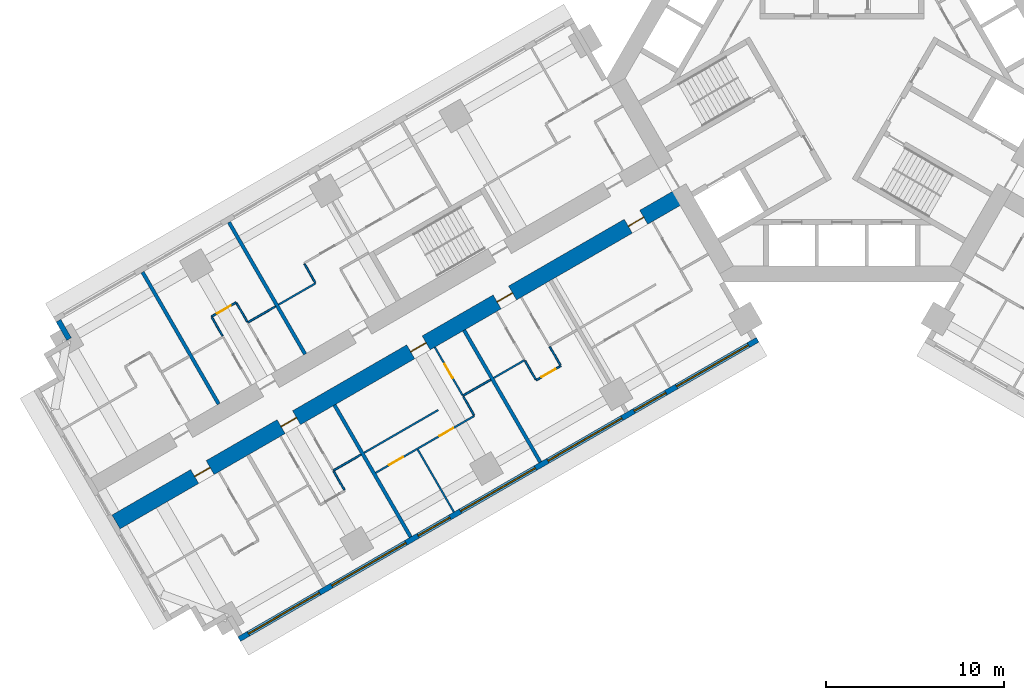
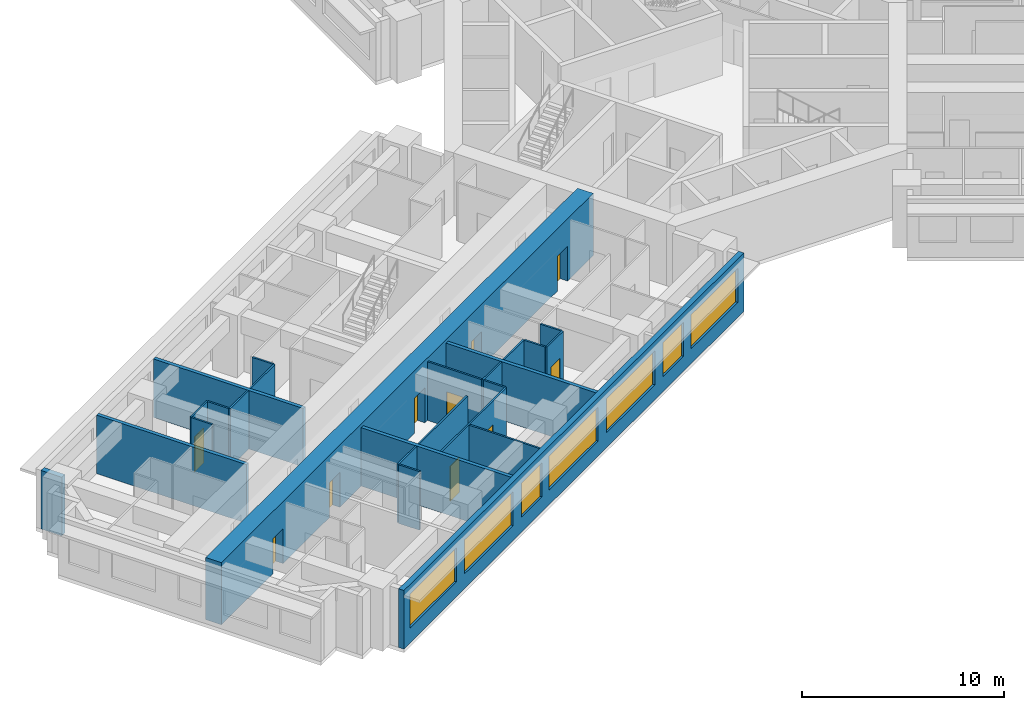
# One storey, part 4 of 16: 25 walls, 10 doors, 7 windows, 17 openings.
"""IFC4 building model written with IfcOpenShell, lengths in metres."""

import ifcopenshell
import ifcopenshell.guid

model = None  # the IFC model being written
_history = None  # IfcOwnerHistory: only IFC2X3 demands one
_inside = {}  # id of a spatial element -> (the spatial element, [elements in it])
_under = {}  # id of a project, library or spatial element -> (it, [spatial elements below it])
_declared = {}  # id of a project -> (the project, [libraries it declares])
_typed = {}  # id of a type object -> (the type object, [elements of that type])
_made_of = {}  # id of a material, layer set ... -> (it, [elements and type objects made of it])


def new_model(schema):
    """Start an empty IFC model of exactly this schema.

    Asked for "IFC4X3", IfcOpenShell would pick the latest addendum, in which some entities
    have other attributes; the version numbers below select the first issue.
    IFC2X3 requires an IfcOwnerHistory on every rooted entity: one is made here for all.
    """
    global model, _history
    if schema == "IFC4X3":
        model = ifcopenshell.file(schema_version=(4, 3, 0, 0))
    else:
        model = ifcopenshell.file(schema=schema)
    _inside.clear()
    _under.clear()
    _declared.clear()
    _typed.clear()
    _made_of.clear()
    _history = None
    if model.schema == "IFC2X3":
        org = make("IfcOrganization", Name="unknown")
        user = make(
            "IfcPersonAndOrganization",
            ThePerson=make("IfcPerson", FamilyName="unknown"),
            TheOrganization=org,
        )
        app = make(
            "IfcApplication",
            ApplicationDeveloper=org,
            Version="unknown",
            ApplicationFullName="unknown",
            ApplicationIdentifier="unknown",
        )
        _history = make(
            "IfcOwnerHistory",
            OwningUser=user,
            OwningApplication=app,
            ChangeAction="ADDED",
            CreationDate=0,
        )
    return model


def make(cls, **values):
    """One entity of the class cls with the attributes given. An attribute that is None is left unset."""
    return model.create_entity(
        cls, **{name: value for name, value in values.items() if value is not None}
    )


def rooted(cls, **values):
    """An entity with a GlobalId (a new one), such as an element, a storey or a relation."""
    return make(cls, GlobalId=ifcopenshell.guid.new(), OwnerHistory=_history, **values)


def si_unit(unit_type, name, prefix=None):
    """IfcSIUnit, for example si_unit("LENGTHUNIT", "METRE", prefix="MILLI")."""
    return make("IfcSIUnit", UnitType=unit_type, Prefix=prefix, Name=name)


def assignment(units):
    """IfcUnitAssignment: the units of a project."""
    return None if units is None else make("IfcUnitAssignment", Units=units)


def point(xyz):
    """IfcCartesianPoint."""
    return None if xyz is None else make("IfcCartesianPoint", Coordinates=xyz)


def direction(xyz):
    """IfcDirection."""
    return None if xyz is None else make("IfcDirection", DirectionRatios=xyz)


def frame(location, z_axis=None, x_axis=None):
    """IfcAxis2Placement3D, a coordinate frame: its origin and axes. An axis left out is left unset."""
    return make(
        "IfcAxis2Placement3D",
        Location=point(location),
        Axis=direction(z_axis),
        RefDirection=direction(x_axis),
    )


def frame_2d(location, x_axis=None):
    """IfcAxis2Placement2D, a coordinate frame in the plane: its origin and x axis."""
    return make(
        "IfcAxis2Placement2D", Location=point(location), RefDirection=direction(x_axis)
    )


def origin():
    """The frame at (0, 0, 0) with its axes left unset."""
    return frame((0.0, 0.0, 0.0))


def place(relative_to, where):
    """IfcLocalPlacement: puts the frame where relative to a parent placement (None: the world)."""
    return make(
        "IfcLocalPlacement", PlacementRelTo=relative_to, RelativePlacement=where
    )


def context(
    kind, dimensions, precision=None, world=None, true_north=None, identifier=None
):
    """IfcGeometricRepresentationContext, for example the 3D "Model" context."""
    return make(
        "IfcGeometricRepresentationContext",
        ContextIdentifier=identifier,
        ContextType=kind,
        CoordinateSpaceDimension=dimensions,
        Precision=precision,
        WorldCoordinateSystem=world,
        TrueNorth=true_north,
    )


def subcontext(parent, identifier, kind, view, scale=None):
    """IfcGeometricRepresentationSubContext, for example "Body" below "Model"."""
    return make(
        "IfcGeometricRepresentationSubContext",
        ContextIdentifier=identifier,
        ContextType=kind,
        ParentContext=parent,
        TargetScale=scale,
        TargetView=view,
    )


def project(units=None, contexts=None):
    """IfcProject with its units and contexts."""
    return rooted(
        "IfcProject",
        Name="project",
        RepresentationContexts=contexts,
        UnitsInContext=assignment(units),
    )


def spatial(cls, under=None, at=None, **own):
    """A site, building, storey or space (cls), placed at a placement, below another one or the project."""
    s = rooted(cls, ObjectPlacement=at, **own)
    if under is not None:
        _under.setdefault(under.id(), (under, []))[1].append(s)
    return s


def profile(cls, at=None, kind="AREA", **sizes):
    """A parametric profile (cls). Its sizes go by their IFC names, for example OverallWidth=200.0."""
    return make(cls, ProfileType=kind, Position=at, **sizes)


def rectangle(**sizes):
    """IfcRectangleProfileDef."""
    return profile("IfcRectangleProfileDef", **sizes)


def extrude(swept, where, along, depth):
    """IfcExtrudedAreaSolid: the profile swept, set in the frame where, extruded along a direction by depth."""
    return make(
        "IfcExtrudedAreaSolid",
        SweptArea=swept,
        Position=where,
        ExtrudedDirection=direction(along),
        Depth=depth,
    )


def shape(context_of_items, identifier, shape_type, items):
    """IfcShapeRepresentation: the items that make up one representation, for example the "Body"."""
    return make(
        "IfcShapeRepresentation",
        ContextOfItems=context_of_items,
        RepresentationIdentifier=identifier,
        RepresentationType=shape_type,
        Items=items,
    )


def material(Name=None, Category=None):
    """IfcMaterial."""
    return make("IfcMaterial", Name=Name, Category=Category)


def layer(
    of_material, thickness, ventilated=None, Name=None, Category=None, Priority=None
):
    """IfcMaterialLayer: one layer of a wall or slab, of a material (None: an air gap)."""
    return make(
        "IfcMaterialLayer",
        Material=of_material,
        LayerThickness=thickness,
        IsVentilated=ventilated,
        Name=Name,
        Category=Category,
        Priority=Priority,
    )


def layer_set(layers, Name=None):
    """IfcMaterialLayerSet."""
    return make("IfcMaterialLayerSet", MaterialLayers=layers, LayerSetName=Name)


def made_of(thing, what):
    """Note that an element or type object is made of a material, layer set ...; save() writes the relation."""
    if what is not None:
        _made_of.setdefault(what.id(), (what, []))[1].append(thing)
    return thing


def type_object(cls, material=None, **own):
    """A type object (cls), such as IfcWallType, which elements share."""
    return made_of(rooted(cls, **own), material)


def element(
    cls,
    number,
    at=None,
    inside=None,
    cuts=None,
    type_object=None,
    material=None,
    context=None,
    identifier="Body",
    shape_type=None,
    held_by="IfcProductDefinitionShape",
    body=None,
    shapes=None,
    **own,
):
    """One element of the class cls, such as IfcWall. Its Tag is "e" and its number.

    at: its placement. inside: the storey or other place that contains it. cuts: it is an
    opening in that element (IfcRelVoidsElement). A single representation is given by context,
    identifier, shape_type and body (its items); several are given by shapes. held_by: the class
    of the entity that holds the representations. save() writes the other relations.
    """
    e = rooted(cls, Tag="e%d" % number, ObjectPlacement=at, **own)
    if body is not None:
        shapes = [shape(context, identifier, shape_type, body)]
    if shapes is not None:
        e.Representation = make(held_by, Representations=shapes)
    if inside is not None:
        _inside.setdefault(inside.id(), (inside, []))[1].append(e)
    if cuts is not None:
        rooted(
            "IfcRelVoidsElement", RelatingBuildingElement=cuts, RelatedOpeningElement=e
        )
    if type_object is not None:
        _typed.setdefault(type_object.id(), (type_object, []))[1].append(e)
    return made_of(e, material)


def fill(opening, filler):
    """IfcRelFillsElement: the door or window that sits in an opening."""
    return rooted(
        "IfcRelFillsElement",
        RelatingOpeningElement=opening,
        RelatedBuildingElement=filler,
    )


def aggregate(whole, parts):
    """IfcRelAggregates: a whole, such as a stair, and the parts it consists of."""
    return rooted("IfcRelAggregates", RelatingObject=whole, RelatedObjects=parts)


def save(model, path):
    """Write the relations noted so far, then the file.

    IfcRelAggregates (storeys below a building ...), IfcRelContainedInSpatialStructure (elements
    in a storey), IfcRelDefinesByType, IfcRelAssociatesMaterial and IfcRelDeclares: one each for
    every whole, place, type object, material and project.
    """
    for whole, parts in _under.values():
        aggregate(whole, parts)
    for where, things in _inside.values():
        rooted(
            "IfcRelContainedInSpatialStructure",
            RelatedElements=things,
            RelatingStructure=where,
        )
    for kind, things in _typed.values():
        rooted("IfcRelDefinesByType", RelatedObjects=things, RelatingType=kind)
    for what, things in _made_of.values():
        rooted("IfcRelAssociatesMaterial", RelatedObjects=things, RelatingMaterial=what)
    for by, libraries in _declared.values():
        rooted("IfcRelDeclares", RelatingContext=by, RelatedDefinitions=libraries)
    model.write(path)


model = new_model("IFC4")

# Units and contexts
model_context = context("Model", 3, precision=1e-05, world=origin(), true_north=direction((0.0, 1.0)))
body_context = subcontext(model_context, "Body", "Model", "MODEL_VIEW")
ifc_project = project(units=[si_unit("LENGTHUNIT", "METRE"), si_unit("AREAUNIT", "SQUARE_METRE"), si_unit("VOLUMEUNIT", "CUBIC_METRE"), si_unit("PLANEANGLEUNIT", "RADIAN"), si_unit("MASSUNIT", "GRAM", prefix="KILO")], contexts=[model_context])

# Site, building, storey
site_placement = place(None, origin())
site = spatial("IfcSite", under=ifc_project, at=site_placement, CompositionType="ELEMENT")
building_placement = place(site_placement, origin())
building = spatial("IfcBuilding", under=site, at=building_placement, Name="Impinga Residences", CompositionType="ELEMENT")
storey_placement = place(building_placement, frame((0.0, 0.0, 56.0)))
storey = spatial("IfcBuildingStorey", under=building, at=storey_placement, Name="L13", CompositionType="ELEMENT", Elevation=56.0)

# Wall, openings, doors
ifc_material_1 = material(Name="Concrete C70/85", Category="concrete")
ifc_layer_1 = layer(ifc_material_1, 0.89990234375)
ifc_layer_set_1 = layer_set([ifc_layer_1], Name="Concrete C70/85")
wall_type_1 = type_object("IfcWallType", Name="BW1 corridor buttress wall, L05 to L22 900", PredefinedType="SHEAR", material=ifc_layer_set_1)
wall_1_placement = place(storey_placement, frame((-8.910400390625, -6.530029296875, 0.0), z_axis=(0.0, 0.0, 1.0), x_axis=(-0.866025284237, -0.500000207062, 0.0)))
wall_1 = element("IfcWall", 1, at=wall_1_placement, inside=storey, type_object=wall_type_1, Name="Corridor wall BW1 WC L13", PredefinedType="SHEAR", context=body_context, shape_type="SweptSolid", body=[
    extrude(rectangle(XDim=36.75, YDim=0.89990234375, at=frame_2d((18.375, 0.0))), origin(), (0.0, 0.0, 1.0), 3.75),
])
opening_1_placement = place(wall_1_placement, frame((2.550048828125, 0.0, 0.0)))
opening_1 = element("IfcOpeningElement", 2, at=opening_1_placement, cuts=wall_1, Name="Opening D1", PredefinedType="OPENING", context=body_context, shape_type="SweptSolid", body=[
    extrude(rectangle(XDim=1.0, YDim=2.10009765625, at=frame_2d((0.5, 1.050048828125))), frame((0.0, 0.4599609375, 0.0), z_axis=(0.0, -1.0, 0.0), x_axis=(1.0, 0.0, 0.0)), (0.0, 0.0, 1.0), 0.919921875),
])
opening_2_placement = place(wall_1_placement, frame((11.050048828125, 0.0, 0.0)))
opening_2 = element("IfcOpeningElement", 3, at=opening_2_placement, cuts=wall_1, Name="Opening D1", PredefinedType="OPENING", context=body_context, shape_type="SweptSolid", body=[
    extrude(rectangle(XDim=1.0, YDim=2.10009765625, at=frame_2d((0.5, 1.050048828125))), frame((0.0, 0.4599609375, 0.0), z_axis=(0.0, -1.0, 0.0), x_axis=(1.0, 0.0, 0.0)), (0.0, 0.0, 1.0), 0.919921875),
])
opening_3_placement = place(wall_1_placement, frame((16.64990234375, 0.0, 0.0)))
opening_3 = element("IfcOpeningElement", 4, at=opening_3_placement, cuts=wall_1, Name="Opening D1", PredefinedType="OPENING", context=body_context, shape_type="SweptSolid", body=[
    extrude(rectangle(XDim=1.0, YDim=2.10009765625, at=frame_2d((0.5, 1.050048828125))), frame((0.0, 0.4599609375, 0.0), z_axis=(0.0, -1.0, 0.0), x_axis=(1.0, 0.0, 0.0)), (0.0, 0.0, 1.0), 0.919921875),
])
opening_4_placement = place(wall_1_placement, frame((25.050048828125, 0.0, 0.0)))
opening_4 = element("IfcOpeningElement", 5, at=opening_4_placement, cuts=wall_1, Name="Opening D1", PredefinedType="OPENING", context=body_context, shape_type="SweptSolid", body=[
    extrude(rectangle(XDim=1.0, YDim=2.10009765625, at=frame_2d((0.5, 1.050048828125))), frame((0.0, 0.4599609375, 0.0), z_axis=(0.0, -1.0, 0.0), x_axis=(1.0, 0.0, 0.0)), (0.0, 0.0, 1.0), 0.919921875),
])
opening_5_placement = place(wall_1_placement, frame((30.64990234375, 0.0, 0.0)))
opening_5 = element("IfcOpeningElement", 6, at=opening_5_placement, cuts=wall_1, Name="Opening D1", PredefinedType="OPENING", context=body_context, shape_type="SweptSolid", body=[
    extrude(rectangle(XDim=1.0, YDim=2.10009765625, at=frame_2d((0.5, 1.050048828125))), frame((0.0, 0.4599609375, 0.0), z_axis=(0.0, -1.0, 0.0), x_axis=(1.0, 0.0, 0.0)), (0.0, 0.0, 1.0), 0.919921875),
])
ifc_material_2 = material(Name="Timber door set", Category="wood")
door_type_1 = type_object("IfcDoorType", Name="D1 apartment entrance door 1000x2100", OperationType="SINGLE_SWING_LEFT", PredefinedType="DOOR", material=ifc_material_2)
door_1_placement = place(opening_1_placement, origin())
door_1 = element("IfcDoor", 7, at=door_1_placement, inside=storey, type_object=door_type_1, Name="Apartment L13-WA1 entrance", OperationType="SINGLE_SWING_LEFT", OverallHeight=2.10009765625, OverallWidth=1.0, PredefinedType="DOOR", context=body_context, shape_type="SweptSolid", body=[
    extrude(rectangle(XDim=1.0, YDim=2.10009765625, at=frame_2d((0.5, 1.050048828125))), frame((0.0, 0.02490234375, 0.0), z_axis=(0.0, -1.0, 0.0), x_axis=(1.0, 0.0, 0.0)), (0.0, 0.0, 1.0), 0.050048828125),
])
fill(opening_1, door_1)
door_2_placement = place(opening_2_placement, origin())
door_2 = element("IfcDoor", 8, at=door_2_placement, inside=storey, type_object=door_type_1, Name="Apartment L13-WA2 entrance", OperationType="SINGLE_SWING_LEFT", OverallHeight=2.10009765625, OverallWidth=1.0, PredefinedType="DOOR", context=body_context, shape_type="SweptSolid", body=[
    extrude(rectangle(XDim=1.0, YDim=2.10009765625, at=frame_2d((0.5, 1.050048828125))), frame((0.0, 0.02490234375, 0.0), z_axis=(0.0, -1.0, 0.0), x_axis=(1.0, 0.0, 0.0)), (0.0, 0.0, 1.0), 0.050048828125),
])
fill(opening_2, door_2)
door_3_placement = place(opening_3_placement, origin())
door_3 = element("IfcDoor", 9, at=door_3_placement, inside=storey, type_object=door_type_1, Name="Apartment L13-WA3 entrance", OperationType="SINGLE_SWING_LEFT", OverallHeight=2.10009765625, OverallWidth=1.0, PredefinedType="DOOR", context=body_context, shape_type="SweptSolid", body=[
    extrude(rectangle(XDim=1.0, YDim=2.10009765625, at=frame_2d((0.5, 1.050048828125))), frame((0.0, 0.02490234375, 0.0), z_axis=(0.0, -1.0, 0.0), x_axis=(1.0, 0.0, 0.0)), (0.0, 0.0, 1.0), 0.050048828125),
])
fill(opening_3, door_3)
door_4_placement = place(opening_4_placement, origin())
door_4 = element("IfcDoor", 10, at=door_4_placement, inside=storey, type_object=door_type_1, Name="Apartment L13-WA4 entrance", OperationType="SINGLE_SWING_RIGHT", OverallHeight=2.10009765625, OverallWidth=1.0, PredefinedType="DOOR", context=body_context, shape_type="SweptSolid", body=[
    extrude(rectangle(XDim=1.0, YDim=2.10009765625, at=frame_2d((0.5, 1.050048828125))), frame((0.0, 0.02490234375, 0.0), z_axis=(0.0, -1.0, 0.0), x_axis=(1.0, 0.0, 0.0)), (0.0, 0.0, 1.0), 0.050048828125),
])
fill(opening_4, door_4)
door_5_placement = place(opening_5_placement, origin())
door_5 = element("IfcDoor", 11, at=door_5_placement, inside=storey, type_object=door_type_1, Name="Apartment L13-WA5 entrance", OperationType="SINGLE_SWING_RIGHT", OverallHeight=2.10009765625, OverallWidth=1.0, PredefinedType="DOOR", context=body_context, shape_type="SweptSolid", body=[
    extrude(rectangle(XDim=1.0, YDim=2.10009765625, at=frame_2d((0.5, 1.050048828125))), frame((0.0, 0.02490234375, 0.0), z_axis=(0.0, -1.0, 0.0), x_axis=(1.0, 0.0, 0.0)), (0.0, 0.0, 1.0), 0.050048828125),
])
fill(opening_5, door_5)

# Wall
ifc_material_3 = material(Name="Terracotta rainscreen on blockwork", Category="masonry")
ifc_layer_2 = layer(ifc_material_3, 0.300048828125)
ifc_layer_set_2 = layer_set([ifc_layer_2], Name="EW1 external wall, terracotta rainscreen on blockwork 300")
wall_type_2 = type_object("IfcWallType", Name="EW1 external wall, terracotta rainscreen on blockwork 300", PredefinedType="SOLIDWALL", material=ifc_layer_set_2)
wall_2_placement = place(storey_placement, frame((-43.37109375, -14.64208984375, 0.0), z_axis=(0.0, 0.0, 1.0), x_axis=(-0.500029051137, 0.866008630453, 0.0)))
element("IfcWall", 12, at=wall_2_placement, inside=storey, type_object=wall_type_2, Name="External wall EW1 L13", PredefinedType="SOLIDWALL", context=body_context, shape_type="SweptSolid", body=[
    extrude(rectangle(XDim=1.19482421875, YDim=0.300048828125, at=frame_2d((0.597412109375, 0.0))), origin(), (0.0, 0.0, 1.0), 3.530029296875),
])

# Wall, openings, windows
wall_3_placement = place(storey_placement, frame((-4.72509765625, -14.67919921875, 0.0), z_axis=(0.0, 0.0, 1.0), x_axis=(-0.866024291668, -0.500001926238, 0.0)))
wall_3 = element("IfcWall", 13, at=wall_3_placement, inside=storey, type_object=wall_type_2, Name="External wall EW1 L13", PredefinedType="SOLIDWALL", context=body_context, shape_type="SweptSolid", body=[
    extrude(rectangle(XDim=33.599853515625, YDim=0.300048828125, at=frame_2d((16.7998046875, 0.0))), origin(), (0.0, 0.0, 1.0), 3.530029296875),
])
opening_6_placement = place(wall_3_placement, frame((0.60009765625, 0.0, 0.89990234375)))
opening_6 = element("IfcOpeningElement", 14, at=opening_6_placement, cuts=wall_3, Name="Opening W10", PredefinedType="OPENING", context=body_context, shape_type="SweptSolid", body=[
    extrude(rectangle(XDim=4.64990234375, YDim=2.050048828125, at=frame_2d((2.324951171875, 1.02490234375))), frame((0.0, 0.159912109375, 0.0), z_axis=(0.0, -1.0, 0.0), x_axis=(1.0, 0.0, 0.0)), (0.0, 0.0, 1.0), 0.320068359375),
])
opening_7_placement = place(wall_3_placement, frame((5.949951171875, 0.0, 0.89990234375)))
opening_7 = element("IfcOpeningElement", 15, at=opening_7_placement, cuts=wall_3, Name="Opening W14", PredefinedType="OPENING", context=body_context, shape_type="SweptSolid", body=[
    extrude(rectangle(XDim=2.050048828125, YDim=2.050048828125, at=frame_2d((1.02490234375, 1.02490234375))), frame((0.0, 0.159912109375, 0.0), z_axis=(0.0, -1.0, 0.0), x_axis=(1.0, 0.0, 0.0)), (0.0, 0.0, 1.0), 0.320068359375),
])
opening_8_placement = place(wall_3_placement, frame((8.800048828125, 0.0, 0.89990234375)))
opening_8 = element("IfcOpeningElement", 16, at=opening_8_placement, cuts=wall_3, Name="Opening W8", PredefinedType="OPENING", context=body_context, shape_type="SweptSolid", body=[
    extrude(rectangle(XDim=4.800048828125, YDim=2.050048828125, at=frame_2d((2.39990234375, 1.02490234375))), frame((0.0, 0.159912109375, 0.0), z_axis=(0.0, -1.0, 0.0), x_axis=(1.0, 0.0, 0.0)), (0.0, 0.0, 1.0), 0.320068359375),
])
opening_9_placement = place(wall_3_placement, frame((14.39990234375, 0.0, 0.89990234375)))
opening_9 = element("IfcOpeningElement", 17, at=opening_9_placement, cuts=wall_3, Name="Opening W6", PredefinedType="OPENING", context=body_context, shape_type="SweptSolid", body=[
    extrude(rectangle(XDim=4.85009765625, YDim=2.050048828125, at=frame_2d((2.425048828125, 1.02490234375))), frame((0.0, 0.159912109375, 0.0), z_axis=(0.0, -1.0, 0.0), x_axis=(1.0, 0.0, 0.0)), (0.0, 0.0, 1.0), 0.320068359375),
])
opening_10_placement = place(wall_3_placement, frame((19.949951171875, 0.0, 0.89990234375)))
opening_10 = element("IfcOpeningElement", 18, at=opening_10_placement, cuts=wall_3, Name="Opening W14", PredefinedType="OPENING", context=body_context, shape_type="SweptSolid", body=[
    extrude(rectangle(XDim=2.050048828125, YDim=2.050048828125, at=frame_2d((1.02490234375, 1.02490234375))), frame((0.0, 0.159912109375, 0.0), z_axis=(0.0, -1.0, 0.0), x_axis=(1.0, 0.0, 0.0)), (0.0, 0.0, 1.0), 0.320068359375),
])
opening_11_placement = place(wall_3_placement, frame((22.800048828125, 0.0, 0.89990234375)))
opening_11 = element("IfcOpeningElement", 19, at=opening_11_placement, cuts=wall_3, Name="Opening W8", PredefinedType="OPENING", context=body_context, shape_type="SweptSolid", body=[
    extrude(rectangle(XDim=4.800048828125, YDim=2.050048828125, at=frame_2d((2.39990234375, 1.02490234375))), frame((0.0, 0.159912109375, 0.0), z_axis=(0.0, -1.0, 0.0), x_axis=(1.0, 0.0, 0.0)), (0.0, 0.0, 1.0), 0.320068359375),
])
opening_12_placement = place(wall_3_placement, frame((28.39990234375, 0.0, 0.89990234375)))
opening_12 = element("IfcOpeningElement", 20, at=opening_12_placement, cuts=wall_3, Name="Opening W3", PredefinedType="OPENING", context=body_context, shape_type="SweptSolid", body=[
    extrude(rectangle(XDim=4.60009765625, YDim=2.050048828125, at=frame_2d((2.300048828125, 1.02490234375))), frame((0.0, 0.159912109375, 0.0), z_axis=(0.0, -1.0, 0.0), x_axis=(1.0, 0.0, 0.0)), (0.0, 0.0, 1.0), 0.320068359375),
])
ifc_material_4 = material(Name="Aluminium window, clear double glazing", Category="aluminium")
window_type_1 = type_object("IfcWindowType", Name="W10 ribbon window 4650x2050", PartitioningType="SINGLE_PANEL", PredefinedType="WINDOW", material=ifc_material_4)
window_1_placement = place(opening_6_placement, origin())
window_1 = element("IfcWindow", 21, at=window_1_placement, inside=storey, type_object=window_type_1, Name="Window L13", OverallHeight=2.050048828125, OverallWidth=4.64990234375, PartitioningType="SINGLE_PANEL", PredefinedType="WINDOW", context=body_context, shape_type="SweptSolid", body=[
    extrude(rectangle(XDim=4.64990234375, YDim=2.050048828125, at=frame_2d((2.324951171875, 1.02490234375))), frame((0.0, 0.030029296875, 0.0), z_axis=(0.0, -1.0, 0.0), x_axis=(1.0, 0.0, 0.0)), (0.0, 0.0, 1.0), 0.06005859375),
])
fill(opening_6, window_1)
window_type_2 = type_object("IfcWindowType", Name="W14 ribbon window 2050x2050", PartitioningType="SINGLE_PANEL", PredefinedType="WINDOW", material=ifc_material_4)
window_2_placement = place(opening_7_placement, origin())
window_2 = element("IfcWindow", 22, at=window_2_placement, inside=storey, type_object=window_type_2, Name="Window L13", OverallHeight=2.050048828125, OverallWidth=2.050048828125, PartitioningType="SINGLE_PANEL", PredefinedType="WINDOW", context=body_context, shape_type="SweptSolid", body=[
    extrude(rectangle(XDim=2.050048828125, YDim=2.050048828125, at=frame_2d((1.02490234375, 1.02490234375))), frame((0.0, 0.030029296875, 0.0), z_axis=(0.0, -1.0, 0.0), x_axis=(1.0, 0.0, 0.0)), (0.0, 0.0, 1.0), 0.06005859375),
])
fill(opening_7, window_2)
window_3_placement = place(opening_10_placement, origin())
window_3 = element("IfcWindow", 23, at=window_3_placement, inside=storey, type_object=window_type_2, Name="Window L13", OverallHeight=2.050048828125, OverallWidth=2.050048828125, PartitioningType="SINGLE_PANEL", PredefinedType="WINDOW", context=body_context, shape_type="SweptSolid", body=[
    extrude(rectangle(XDim=2.050048828125, YDim=2.050048828125, at=frame_2d((1.02490234375, 1.02490234375))), frame((0.0, 0.030029296875, 0.0), z_axis=(0.0, -1.0, 0.0), x_axis=(1.0, 0.0, 0.0)), (0.0, 0.0, 1.0), 0.06005859375),
])
fill(opening_10, window_3)
window_type_3 = type_object("IfcWindowType", Name="W3 ribbon window 4600x2050", PartitioningType="SINGLE_PANEL", PredefinedType="WINDOW", material=ifc_material_4)
window_4_placement = place(opening_12_placement, origin())
window_4 = element("IfcWindow", 24, at=window_4_placement, inside=storey, type_object=window_type_3, Name="Window L13", OverallHeight=2.050048828125, OverallWidth=4.60009765625, PartitioningType="SINGLE_PANEL", PredefinedType="WINDOW", context=body_context, shape_type="SweptSolid", body=[
    extrude(rectangle(XDim=4.60009765625, YDim=2.050048828125, at=frame_2d((2.300048828125, 1.02490234375))), frame((0.0, 0.030029296875, 0.0), z_axis=(0.0, -1.0, 0.0), x_axis=(1.0, 0.0, 0.0)), (0.0, 0.0, 1.0), 0.06005859375),
])
fill(opening_12, window_4)
window_type_4 = type_object("IfcWindowType", Name="W6 ribbon window 4850x2050", PartitioningType="SINGLE_PANEL", PredefinedType="WINDOW", material=ifc_material_4)
window_5_placement = place(opening_9_placement, origin())
window_5 = element("IfcWindow", 25, at=window_5_placement, inside=storey, type_object=window_type_4, Name="Window L13", OverallHeight=2.050048828125, OverallWidth=4.85009765625, PartitioningType="SINGLE_PANEL", PredefinedType="WINDOW", context=body_context, shape_type="SweptSolid", body=[
    extrude(rectangle(XDim=4.85009765625, YDim=2.050048828125, at=frame_2d((2.425048828125, 1.02490234375))), frame((0.0, 0.030029296875, 0.0), z_axis=(0.0, -1.0, 0.0), x_axis=(1.0, 0.0, 0.0)), (0.0, 0.0, 1.0), 0.06005859375),
])
fill(opening_9, window_5)
window_type_5 = type_object("IfcWindowType", Name="W8 ribbon window 4800x2050", PartitioningType="SINGLE_PANEL", PredefinedType="WINDOW", material=ifc_material_4)
window_6_placement = place(opening_8_placement, origin())
window_6 = element("IfcWindow", 26, at=window_6_placement, inside=storey, type_object=window_type_5, Name="Window L13", OverallHeight=2.050048828125, OverallWidth=4.800048828125, PartitioningType="SINGLE_PANEL", PredefinedType="WINDOW", context=body_context, shape_type="SweptSolid", body=[
    extrude(rectangle(XDim=4.800048828125, YDim=2.050048828125, at=frame_2d((2.39990234375, 1.02490234375))), frame((0.0, 0.030029296875, 0.0), z_axis=(0.0, -1.0, 0.0), x_axis=(1.0, 0.0, 0.0)), (0.0, 0.0, 1.0), 0.06005859375),
])
fill(opening_8, window_6)
window_7_placement = place(opening_11_placement, origin())
window_7 = element("IfcWindow", 27, at=window_7_placement, inside=storey, type_object=window_type_5, Name="Window L13", OverallHeight=2.050048828125, OverallWidth=4.800048828125, PartitioningType="SINGLE_PANEL", PredefinedType="WINDOW", context=body_context, shape_type="SweptSolid", body=[
    extrude(rectangle(XDim=4.800048828125, YDim=2.050048828125, at=frame_2d((2.39990234375, 1.02490234375))), frame((0.0, 0.030029296875, 0.0), z_axis=(0.0, -1.0, 0.0), x_axis=(1.0, 0.0, 0.0)), (0.0, 0.0, 1.0), 0.06005859375),
])
fill(opening_11, window_7)

# Wall
ifc_material_5 = material(Name="Gypsum board on steel studs", Category="steel")
ifc_layer_3 = layer(ifc_material_5, 0.10009765625)
ifc_layer_set_3 = layer_set([ifc_layer_3], Name="Gypsum board on steel studs")
wall_type_3 = type_object("IfcWallType", Name="IP1 partition 100", PredefinedType="PARTITIONING", material=ifc_layer_set_3)
wall_4_placement = place(storey_placement, frame((-17.8056640625, -15.82275390625, 0.0), z_axis=(0.0, 0.0, 1.0), x_axis=(-0.866041268327, -0.499972520799, 0.0)))
element("IfcWall", 28, at=wall_4_placement, inside=storey, type_object=wall_type_3, Name="Partition L13-WA2:DIV1", PredefinedType="PARTITIONING", context=body_context, shape_type="SweptSolid", body=[
    extrude(rectangle(XDim=2.0, YDim=0.10009765625, at=frame_2d((1.0, 0.0))), origin(), (0.0, 0.0, 1.0), 3.530029296875),
])

# Wall, opening, door
wall_5_placement = place(storey_placement, frame((-15.77001953125, -16.1484375, 0.0), z_axis=(0.0, 0.0, 1.0), x_axis=(-0.866028054938, -0.499995408039, 0.0)))
wall_5 = element("IfcWall", 29, at=wall_5_placement, inside=storey, type_object=wall_type_3, Name="Partition L13-WA2:STRIP", PredefinedType="PARTITIONING", context=body_context, shape_type="SweptSolid", body=[
    extrude(rectangle(XDim=1.60009765625, YDim=0.10009765625, at=frame_2d((0.800048828125, 0.0))), origin(), (0.0, 0.0, 1.0), 3.530029296875),
])
opening_13_placement = place(wall_5_placement, frame((0.35009765625, 0.0, 0.0)))
opening_13 = element("IfcOpeningElement", 30, at=opening_13_placement, cuts=wall_5, Name="Opening D2", PredefinedType="OPENING", context=body_context, shape_type="SweptSolid", body=[
    extrude(rectangle(XDim=0.89990234375, YDim=2.10009765625, at=frame_2d((0.449951171875, 1.050048828125))), frame((0.0, 0.06005859375, 0.0), z_axis=(0.0, -1.0, 0.0), x_axis=(1.0, 0.0, 0.0)), (0.0, 0.0, 1.0), 0.1201171875),
])
door_type_2 = type_object("IfcDoorType", Name="D2 internal door 900x2100", OperationType="SINGLE_SWING_LEFT", PredefinedType="DOOR", material=ifc_material_2)
door_6_placement = place(opening_13_placement, origin())
door_6 = element("IfcDoor", 31, at=door_6_placement, inside=storey, type_object=door_type_2, Name="Apartment L13-WA2 room door", OperationType="SINGLE_SWING_LEFT", OverallHeight=2.10009765625, OverallWidth=0.89990234375, PredefinedType="DOOR", context=body_context, shape_type="SweptSolid", body=[
    extrude(rectangle(XDim=0.89990234375, YDim=2.10009765625, at=frame_2d((0.449951171875, 1.050048828125))), frame((0.0, 0.02490234375, 0.0), z_axis=(0.0, -1.0, 0.0), x_axis=(1.0, 0.0, 0.0)), (0.0, 0.0, 1.0), 0.050048828125),
])
fill(opening_13, door_6)

# Walls
wall_6_placement = place(storey_placement, frame((-16.39501953125, -15.06591796875, 0.0), z_axis=(0.0, 0.0, 1.0), x_axis=(0.499880961361, -0.866094119867, 0.0)))
element("IfcWall", 32, at=wall_6_placement, inside=storey, type_object=wall_type_3, Name="Partition L13-WA2:SE0", PredefinedType="PARTITIONING", context=body_context, shape_type="SweptSolid", body=[
    extrude(rectangle(XDim=1.199951171875, YDim=0.10009765625, at=frame_2d((0.60009765625, 0.0))), origin(), (0.0, 0.0, 1.0), 3.530029296875),
])
wall_7_placement = place(storey_placement, frame((-17.78076171875, -15.865966796875, 0.0), z_axis=(0.0, 0.0, 1.0), x_axis=(0.500033551112, -0.866006032174, 0.0)))
element("IfcWall", 33, at=wall_7_placement, inside=storey, type_object=wall_type_3, Name="Partition L13-WA2:SE1", PredefinedType="PARTITIONING", context=body_context, shape_type="SweptSolid", body=[
    extrude(rectangle(XDim=1.2001953125, YDim=0.10009765625, at=frame_2d((0.60009765625, 0.0))), origin(), (0.0, 0.0, 1.0), 3.530029296875),
])
wall_8_placement = place(storey_placement, frame((-19.7109375, -16.922607421875, 0.0), z_axis=(0.0, 0.0, 1.0), x_axis=(-0.865989075817, -0.500062916607, 0.0)))
element("IfcWall", 34, at=wall_8_placement, inside=storey, type_object=wall_type_3, Name="Partition L13-WA3:DIV0", PredefinedType="PARTITIONING", context=body_context, shape_type="SweptSolid", body=[
    extrude(rectangle(XDim=1.800048828125, YDim=0.10009765625, at=frame_2d((0.89990234375, 0.0))), origin(), (0.0, 0.0, 1.0), 3.530029296875),
])
wall_9_placement = place(storey_placement, frame((-22.655517578125, -18.622802734375, 0.0), z_axis=(0.0, 0.0, 1.0), x_axis=(-0.866024647952, -0.500001309137, 0.0)))
element("IfcWall", 35, at=wall_9_placement, inside=storey, type_object=wall_type_3, Name="Partition L13-WA3:DIV1", PredefinedType="PARTITIONING", context=body_context, shape_type="SweptSolid", body=[
    extrude(rectangle(XDim=4.7998046875, YDim=0.10009765625, at=frame_2d((2.39990234375, 0.0))), origin(), (0.0, 0.0, 1.0), 3.530029296875),
])

# Wall, openings, doors
wall_10_placement = place(storey_placement, frame((-20.619873046875, -18.948486328125, 0.0), z_axis=(0.0, 0.0, 1.0), x_axis=(-0.866025499775, -0.499999833739, 0.0)))
wall_10 = element("IfcWall", 36, at=wall_10_placement, inside=storey, type_object=wall_type_3, Name="Partition L13-WA3:STRIP", PredefinedType="PARTITIONING", context=body_context, shape_type="SweptSolid", body=[
    extrude(rectangle(XDim=6.39990234375, YDim=0.10009765625, at=frame_2d((3.199951171875, 0.0))), origin(), (0.0, 0.0, 1.0), 3.530029296875),
])
opening_14_placement = place(wall_10_placement, frame((1.375, 0.0, 0.0)))
opening_14 = element("IfcOpeningElement", 37, at=opening_14_placement, cuts=wall_10, Name="Opening D2", PredefinedType="OPENING", context=body_context, shape_type="SweptSolid", body=[
    extrude(rectangle(XDim=0.89990234375, YDim=2.10009765625, at=frame_2d((0.449951171875, 1.050048828125))), frame((0.0, 0.06005859375, 0.0), z_axis=(0.0, -1.0, 0.0), x_axis=(1.0, 0.0, 0.0)), (0.0, 0.0, 1.0), 0.1201171875),
])
opening_15_placement = place(wall_10_placement, frame((4.625, 0.0, 0.0)))
opening_15 = element("IfcOpeningElement", 38, at=opening_15_placement, cuts=wall_10, Name="Opening D2", PredefinedType="OPENING", context=body_context, shape_type="SweptSolid", body=[
    extrude(rectangle(XDim=0.89990234375, YDim=2.10009765625, at=frame_2d((0.449951171875, 1.050048828125))), frame((0.0, 0.06005859375, 0.0), z_axis=(0.0, -1.0, 0.0), x_axis=(1.0, 0.0, 0.0)), (0.0, 0.0, 1.0), 0.1201171875),
])
door_7_placement = place(opening_14_placement, origin())
door_7 = element("IfcDoor", 39, at=door_7_placement, inside=storey, type_object=door_type_2, Name="Apartment L13-WA3 room door", OperationType="SINGLE_SWING_LEFT", OverallHeight=2.10009765625, OverallWidth=0.89990234375, PredefinedType="DOOR", context=body_context, shape_type="SweptSolid", body=[
    extrude(rectangle(XDim=0.89990234375, YDim=2.10009765625, at=frame_2d((0.449951171875, 1.050048828125))), frame((0.0, 0.02490234375, 0.0), z_axis=(0.0, -1.0, 0.0), x_axis=(1.0, 0.0, 0.0)), (0.0, 0.0, 1.0), 0.050048828125),
])
fill(opening_14, door_7)
door_8_placement = place(opening_15_placement, origin())
door_8 = element("IfcDoor", 40, at=door_8_placement, inside=storey, type_object=door_type_2, Name="Apartment L13-WA3 room door", OperationType="SINGLE_SWING_RIGHT", OverallHeight=2.10009765625, OverallWidth=0.89990234375, PredefinedType="DOOR", context=body_context, shape_type="SweptSolid", body=[
    extrude(rectangle(XDim=0.89990234375, YDim=2.10009765625, at=frame_2d((0.449951171875, 1.050048828125))), frame((0.0, 0.02490234375, 0.0), z_axis=(0.0, -1.0, 0.0), x_axis=(1.0, 0.0, 0.0)), (0.0, 0.0, 1.0), 0.050048828125),
])
fill(opening_15, door_8)

# Wall
wall_11_placement = place(storey_placement, frame((-21.244873046875, -17.865966796875, 0.0), z_axis=(0.0, 0.0, 1.0), x_axis=(0.500033551112, -0.866006032174, 0.0)))
element("IfcWall", 41, at=wall_11_placement, inside=storey, type_object=wall_type_3, Name="Partition L13-WA3:SE0", PredefinedType="PARTITIONING", context=body_context, shape_type="SweptSolid", body=[
    extrude(rectangle(XDim=1.2001953125, YDim=0.10009765625, at=frame_2d((0.60009765625, 0.0))), origin(), (0.0, 0.0, 1.0), 3.530029296875),
])

# Wall, opening, door
wall_12_placement = place(storey_placement, frame((-22.8447265625, -15.0947265625, 0.0), z_axis=(0.0, 0.0, 1.0), x_axis=(0.499967891604, -0.866043940782, 0.0)))
wall_12 = element("IfcWall", 42, at=wall_12_placement, inside=storey, type_object=wall_type_3, Name="Partition L13-WA3:IB1", PredefinedType="PARTITIONING", context=body_context, shape_type="SweptSolid", body=[
    extrude(rectangle(XDim=3.099853515625, YDim=0.10009765625, at=frame_2d((1.5498046875, 0.0))), origin(), (0.0, 0.0, 1.0), 3.530029296875),
])
opening_16_placement = place(wall_12_placement, frame((1.10009765625, 0.0, 0.0)))
opening_16 = element("IfcOpeningElement", 43, at=opening_16_placement, cuts=wall_12, Name="Opening D2", PredefinedType="OPENING", context=body_context, shape_type="SweptSolid", body=[
    extrude(rectangle(XDim=0.89990234375, YDim=2.10009765625, at=frame_2d((0.449951171875, 1.050048828125))), frame((0.0, 0.06005859375, 0.0), z_axis=(0.0, -1.0, 0.0), x_axis=(1.0, 0.0, 0.0)), (0.0, 0.0, 1.0), 0.1201171875),
])
door_9_placement = place(opening_16_placement, origin())
door_9 = element("IfcDoor", 44, at=door_9_placement, inside=storey, type_object=door_type_2, Name="Apartment L13-WA3 bathroom door", OperationType="SINGLE_SWING_LEFT", OverallHeight=2.10009765625, OverallWidth=0.89990234375, PredefinedType="DOOR", context=body_context, shape_type="SweptSolid", body=[
    extrude(rectangle(XDim=0.89990234375, YDim=2.10009765625, at=frame_2d((0.449951171875, 1.050048828125))), frame((0.0, 0.02490234375, 0.0), z_axis=(0.0, -1.0, 0.0), x_axis=(1.0, 0.0, 0.0)), (0.0, 0.0, 1.0), 0.050048828125),
])
fill(opening_16, door_9)

# Walls
wall_13_placement = place(storey_placement, frame((-23.799072265625, -20.841796875, 0.0), z_axis=(0.0, 0.0, 1.0), x_axis=(0.499990325971, -0.866030989016, 0.0)))
element("IfcWall", 45, at=wall_13_placement, inside=storey, type_object=wall_type_3, Name="Partition L13-WA3:OB1", PredefinedType="PARTITIONING", context=body_context, shape_type="SweptSolid", body=[
    extrude(rectangle(XDim=4.0498046875, YDim=0.10009765625, at=frame_2d((2.02490234375, 0.0))), origin(), (0.0, 0.0, 1.0), 3.530029296875),
])
wall_14_placement = place(storey_placement, frame((-26.985595703125, -21.122802734375, 0.0), z_axis=(0.0, 0.0, 1.0), x_axis=(-0.866047807691, -0.499961193289, 0.0)))
element("IfcWall", 46, at=wall_14_placement, inside=storey, type_object=wall_type_3, Name="Partition L13-WA4:DIV0", PredefinedType="PARTITIONING", context=body_context, shape_type="SweptSolid", body=[
    extrude(rectangle(XDim=1.800048828125, YDim=0.10009765625, at=frame_2d((0.89990234375, 0.0))), origin(), (0.0, 0.0, 1.0), 3.530029296875),
])
wall_15_placement = place(storey_placement, frame((-28.51953125, -22.06591796875, 0.0), z_axis=(0.0, 0.0, 1.0), x_axis=(0.500033551112, -0.866006032174, 0.0)))
element("IfcWall", 47, at=wall_15_placement, inside=storey, type_object=wall_type_3, Name="Partition L13-WA4:SE0", PredefinedType="PARTITIONING", context=body_context, shape_type="SweptSolid", body=[
    extrude(rectangle(XDim=1.2001953125, YDim=0.10009765625, at=frame_2d((0.60009765625, 0.0))), origin(), (0.0, 0.0, 1.0), 3.530029296875),
])
wall_16_placement = place(storey_placement, frame((-29.533935546875, -11.5087890625, 0.0), z_axis=(0.0, 0.0, 1.0), x_axis=(-0.866024647952, -0.500001309137, 0.0)))
element("IfcWall", 48, at=wall_16_placement, inside=storey, type_object=wall_type_3, Name="Partition L13-WF2:DIV1", PredefinedType="PARTITIONING", context=body_context, shape_type="SweptSolid", body=[
    extrude(rectangle(XDim=2.39990234375, YDim=0.10009765625, at=frame_2d((1.199951171875, 0.0))), origin(), (0.0, 0.0, 1.0), 3.530029296875),
])
wall_17_placement = place(storey_placement, frame((-29.558837890625, -11.465576171875, 0.0), z_axis=(0.0, 0.0, 1.0), x_axis=(-0.500033551112, 0.866006032174, 0.0)))
element("IfcWall", 49, at=wall_17_placement, inside=storey, type_object=wall_type_3, Name="Partition L13-WF2:SE1", PredefinedType="PARTITIONING", context=body_context, shape_type="SweptSolid", body=[
    extrude(rectangle(XDim=1.2001953125, YDim=0.10009765625, at=frame_2d((0.60009765625, 0.0))), origin(), (0.0, 0.0, 1.0), 3.530029296875),
])
wall_18_placement = place(storey_placement, frame((-31.78564453125, -12.808837890625, 0.0), z_axis=(0.0, 0.0, 1.0), x_axis=(-0.866047807691, -0.499961193289, 0.0)))
element("IfcWall", 50, at=wall_18_placement, inside=storey, type_object=wall_type_3, Name="Partition L13-WF3:DIV0", PredefinedType="PARTITIONING", context=body_context, shape_type="SweptSolid", body=[
    extrude(rectangle(XDim=1.800048828125, YDim=0.10009765625, at=frame_2d((0.89990234375, 0.0))), origin(), (0.0, 0.0, 1.0), 3.530029296875),
])

# Wall, opening, door
wall_19_placement = place(storey_placement, frame((-33.994384765625, -12.5830078125, 0.0), z_axis=(0.0, 0.0, 1.0), x_axis=(-0.866028054938, -0.499995408039, 0.0)))
wall_19 = element("IfcWall", 51, at=wall_19_placement, inside=storey, type_object=wall_type_3, Name="Partition L13-WF3:STRIP", PredefinedType="PARTITIONING", context=body_context, shape_type="SweptSolid", body=[
    extrude(rectangle(XDim=1.60009765625, YDim=0.10009765625, at=frame_2d((0.800048828125, 0.0))), origin(), (0.0, 0.0, 1.0), 3.530029296875),
])
opening_17_placement = place(wall_19_placement, frame((0.35009765625, 0.0, 0.0)))
opening_17 = element("IfcOpeningElement", 52, at=opening_17_placement, cuts=wall_19, Name="Opening D2", PredefinedType="OPENING", context=body_context, shape_type="SweptSolid", body=[
    extrude(rectangle(XDim=0.89990234375, YDim=2.10009765625, at=frame_2d((0.449951171875, 1.050048828125))), frame((0.0, 0.06005859375, 0.0), z_axis=(0.0, -1.0, 0.0), x_axis=(1.0, 0.0, 0.0)), (0.0, 0.0, 1.0), 0.1201171875),
])
door_10_placement = place(opening_17_placement, origin())
door_10 = element("IfcDoor", 53, at=door_10_placement, inside=storey, type_object=door_type_2, Name="Apartment L13-WF3 room door", OperationType="SINGLE_SWING_LEFT", OverallHeight=2.10009765625, OverallWidth=0.89990234375, PredefinedType="DOOR", context=body_context, shape_type="SweptSolid", body=[
    extrude(rectangle(XDim=0.89990234375, YDim=2.10009765625, at=frame_2d((0.449951171875, 1.050048828125))), frame((0.0, 0.02490234375, 0.0), z_axis=(0.0, -1.0, 0.0), x_axis=(1.0, 0.0, 0.0)), (0.0, 0.0, 1.0), 0.050048828125),
])
fill(opening_17, door_10)

# Walls
wall_20_placement = place(storey_placement, frame((-33.369384765625, -13.66552734375, 0.0), z_axis=(0.0, 0.0, 1.0), x_axis=(-0.500033551112, 0.866006032174, 0.0)))
element("IfcWall", 54, at=wall_20_placement, inside=storey, type_object=wall_type_3, Name="Partition L13-WF3:SE0", PredefinedType="PARTITIONING", context=body_context, shape_type="SweptSolid", body=[
    extrude(rectangle(XDim=1.2001953125, YDim=0.10009765625, at=frame_2d((0.60009765625, 0.0))), origin(), (0.0, 0.0, 1.0), 3.530029296875),
])
wall_21_placement = place(storey_placement, frame((-34.755126953125, -14.465576171875, 0.0), z_axis=(0.0, 0.0, 1.0), x_axis=(-0.499880961361, 0.866094119867, 0.0)))
element("IfcWall", 55, at=wall_21_placement, inside=storey, type_object=wall_type_3, Name="Partition L13-WF3:SE1", PredefinedType="PARTITIONING", context=body_context, shape_type="SweptSolid", body=[
    extrude(rectangle(XDim=1.199951171875, YDim=0.10009765625, at=frame_2d((0.60009765625, 0.0))), origin(), (0.0, 0.0, 1.0), 3.530029296875),
])
ifc_material_6 = material(Name="Concrete blockwork", Category="masonry")
ifc_layer_4 = layer(ifc_material_6, 0.199951171875)
ifc_layer_set_4 = layer_set([ifc_layer_4], Name="PW1 party wall between apartments 200")
wall_type_4 = type_object("IfcWallType", Name="PW1 party wall between apartments 200", PredefinedType="SOLIDWALL", material=ifc_layer_set_4)
for number, where, z_axis, x_axis, name in (
    (56, (-21.199462890625, -14.144775390625, 0.0), (0.0, 0.0, 1.0), (0.500011643316, -0.866018681408, 0.0), "Party wall between apartments L13-WA2:PARTY"),
    (57, (-28.473876953125, -18.3447265625, 0.0), (0.0, 0.0, 1.0), (0.499990227581, -0.86603104582, 0.0), "Party wall between apartments L13-WA3:PARTY"),
    (58, (-30.1240234375, -15.48681640625, 0.0), (0.0, 0.0, 1.0), (-0.499990227581, 0.86603104582, 0.0), "Party wall between apartments L13-WF2:PARTY"),
    (59, (-34.9736328125, -18.286865234375, 0.0), (0.0, 0.0, 1.0), (-0.500011643316, 0.866018681408, 0.0), "Party wall between apartments L13-WF3:PARTY"),
):
    element("IfcWall", number, at=place(storey_placement, frame(where, z_axis=z_axis, x_axis=x_axis)), inside=storey, type_object=wall_type_4, Name=name, PredefinedType="SOLIDWALL", context=body_context, shape_type="SweptSolid", body=[
        extrude(rectangle(XDim=8.550048828125, YDim=0.199951171875, at=frame_2d((4.27490234375, 0.0))), origin(), (0.0, 0.0, 1.0), 3.530029296875),
    ])

save(model, "model.ifc")
